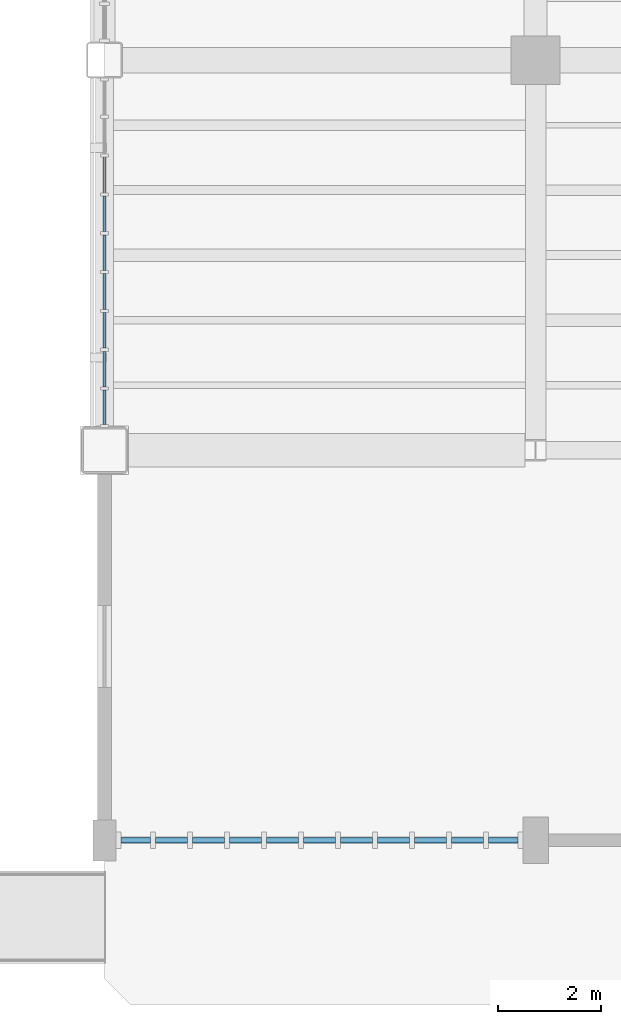
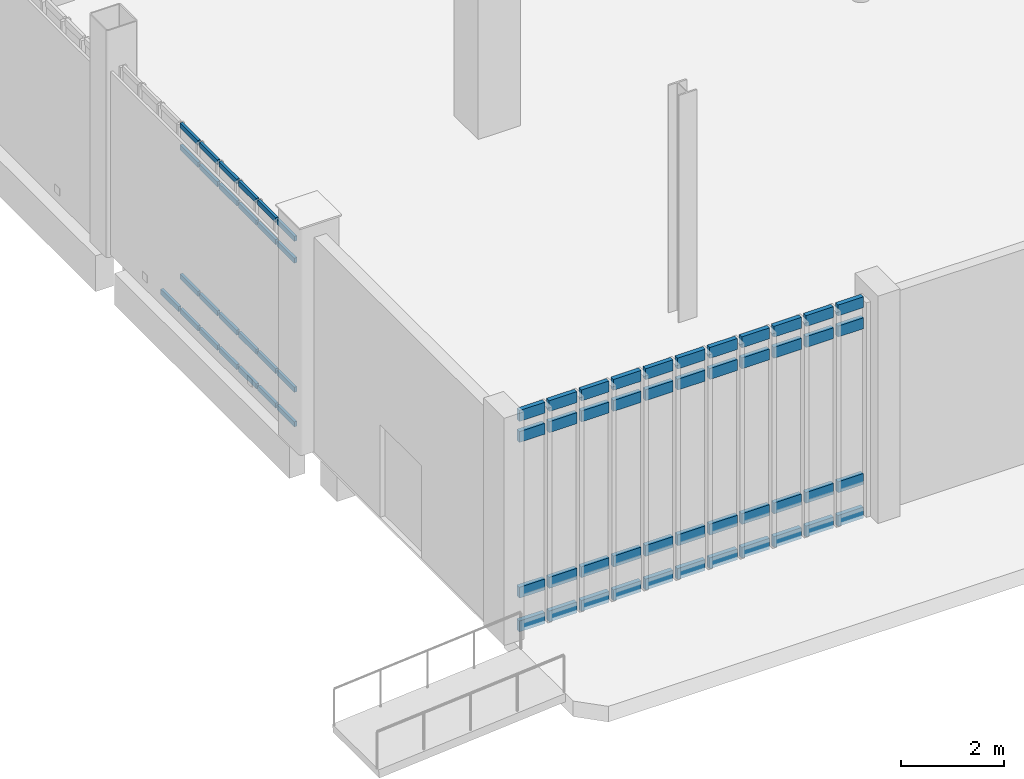
# One storey, part 35 of 111: 69 members, 2 elements without a shape of their own.
"""IFC4 building model written with IfcOpenShell, lengths in metres."""

from ifc_helpers import new_model, si_unit, direction, frame, origin, origin_2d, place, context, subcontext, project, spatial, rectangle, extrude, material, material_profile, profile_set, type_object, element, aggregate, save


model = new_model("IFC4")

# Units and contexts
model_context = context("Model", 3, precision=1e-05, world=origin(), true_north=direction((0.0, 1.0)))
body_context = subcontext(model_context, "Body", "Model", "MODEL_VIEW")
ifc_project = project(units=[si_unit("LENGTHUNIT", "METRE"), si_unit("AREAUNIT", "SQUARE_METRE"), si_unit("VOLUMEUNIT", "CUBIC_METRE"), si_unit("PLANEANGLEUNIT", "RADIAN"), si_unit("MASSUNIT", "GRAM", prefix="KILO")], contexts=[model_context])

# Site, building, storey
site_placement = place(None, origin())
site = spatial("IfcSite", under=ifc_project, at=site_placement, CompositionType="ELEMENT")
building_placement = place(site_placement, origin())
building = spatial("IfcBuilding", under=site, at=building_placement, Name="Larkvane Passage Sports Hall", CompositionType="ELEMENT")
storey_placement = place(building_placement, origin())
storey = spatial("IfcBuildingStorey", under=building, at=storey_placement, Name="L00", CompositionType="ELEMENT", Elevation=0.0)

# Curtain wall, members
ifc_material_1 = material(Name="Thermally broken aluminium and low-E glazing", Category="aluminium")
curtain_wall_type_1 = type_object("IfcCurtainWallType", Name="CW-CLINIC", PredefinedType="USERDEFINED", material=ifc_material_1)
curtain_wall_1_placement = place(storey_placement, origin())
curtain_wall_1 = element("IfcCurtainWall", 1, at=curtain_wall_1_placement, inside=storey, type_object=curtain_wall_type_1, Name="Curtain wall CW5-L00-003", ObjectType="UNITISED CURTAIN WALL", PredefinedType="USERDEFINED")
ifc_material_2 = material(Name="Anodised aluminium 6063-T6", Category="aluminium")
ifc_material_profile_1 = material_profile(ifc_material_2, rectangle(XDim=0.10009765625, YDim=0.260009765625, at=origin_2d()), Name="ALU-TRN-100x260")
ifc_profile_set_1 = profile_set([ifc_material_profile_1], Name="Anodised aluminium 6063-T6")
member_type_1 = type_object("IfcMemberType", Name="CW-TRN-100x260", PredefinedType="USERDEFINED", material=ifc_profile_set_1)
member_1_placement = place(storey_placement, frame((42.85400390625, 0.0, 0.050048828125), z_axis=(-1.0, 0.0, 0.0), x_axis=(0.0, -1.0, 0.0)))
member_1 = element("IfcMember", 2, at=member_1_placement, type_object=member_type_1, Name="CW-05 transom 1.1", ObjectType="TRANSOM", PredefinedType="USERDEFINED", context=body_context, shape_type="SweptSolid", body=[
    extrude(rectangle(XDim=0.10009765625, YDim=0.260009765625, at=origin_2d()), origin(), (0.0, 0.0, 1.0), 0.5712890625),
])
member_2_placement = place(storey_placement, frame((42.85400390625, 0.0, 0.85009765625), z_axis=(-1.0, 0.0, 0.0), x_axis=(0.0, -1.0, 0.0)))
member_2 = element("IfcMember", 3, at=member_2_placement, type_object=member_type_1, Name="CW-05 transom 1.2", ObjectType="TRANSOM", PredefinedType="USERDEFINED", context=body_context, shape_type="SweptSolid", body=[
    extrude(rectangle(XDim=0.10009765625, YDim=0.260009765625, at=origin_2d()), origin(), (0.0, 0.0, 1.0), 0.5712890625),
])
member_3_placement = place(storey_placement, frame((42.85400390625, 0.0, 4.550048828125), z_axis=(-1.0, 0.0, 0.0), x_axis=(0.0, -1.0, 0.0)))
member_3 = element("IfcMember", 4, at=member_3_placement, type_object=member_type_1, Name="CW-05 transom 1.3", ObjectType="TRANSOM", PredefinedType="USERDEFINED", context=body_context, shape_type="SweptSolid", body=[
    extrude(rectangle(XDim=0.10009765625, YDim=0.260009765625, at=origin_2d()), origin(), (0.0, 0.0, 1.0), 0.5712890625),
])
member_4_placement = place(storey_placement, frame((42.85400390625, 0.0, 5.050048828125), z_axis=(-1.0, 0.0, 0.0), x_axis=(0.0, -1.0, 0.0)))
member_4 = element("IfcMember", 5, at=member_4_placement, type_object=member_type_1, Name="CW-05 transom 1.4", ObjectType="TRANSOM", PredefinedType="USERDEFINED", context=body_context, shape_type="SweptSolid", body=[
    extrude(rectangle(XDim=0.10009765625, YDim=0.260009765625, at=origin_2d()), origin(), (0.0, 0.0, 1.0), 0.5712890625),
])
member_5_placement = place(storey_placement, frame((42.182861328125, 0.0, 0.050048828125), z_axis=(-1.0, 0.0, 0.0), x_axis=(0.0, -1.0, 0.0)))
member_5 = element("IfcMember", 6, at=member_5_placement, type_object=member_type_1, Name="CW-05 transom 2.1", ObjectType="TRANSOM", PredefinedType="USERDEFINED", context=body_context, shape_type="SweptSolid", body=[
    extrude(rectangle(XDim=0.10009765625, YDim=0.260009765625, at=origin_2d()), origin(), (0.0, 0.0, 1.0), 0.621337890625),
])
member_6_placement = place(storey_placement, frame((42.182861328125, 0.0, 0.85009765625), z_axis=(-1.0, 0.0, 0.0), x_axis=(0.0, -1.0, 0.0)))
member_6 = element("IfcMember", 7, at=member_6_placement, type_object=member_type_1, Name="CW-05 transom 2.2", ObjectType="TRANSOM", PredefinedType="USERDEFINED", context=body_context, shape_type="SweptSolid", body=[
    extrude(rectangle(XDim=0.10009765625, YDim=0.260009765625, at=origin_2d()), origin(), (0.0, 0.0, 1.0), 0.621337890625),
])
member_7_placement = place(storey_placement, frame((42.182861328125, 0.0, 4.550048828125), z_axis=(-1.0, 0.0, 0.0), x_axis=(0.0, -1.0, 0.0)))
member_7 = element("IfcMember", 8, at=member_7_placement, type_object=member_type_1, Name="CW-05 transom 2.3", ObjectType="TRANSOM", PredefinedType="USERDEFINED", context=body_context, shape_type="SweptSolid", body=[
    extrude(rectangle(XDim=0.10009765625, YDim=0.260009765625, at=origin_2d()), origin(), (0.0, 0.0, 1.0), 0.621337890625),
])
member_8_placement = place(storey_placement, frame((42.182861328125, 0.0, 5.050048828125), z_axis=(-1.0, 0.0, 0.0), x_axis=(0.0, -1.0, 0.0)))
member_8 = element("IfcMember", 9, at=member_8_placement, type_object=member_type_1, Name="CW-05 transom 2.4", ObjectType="TRANSOM", PredefinedType="USERDEFINED", context=body_context, shape_type="SweptSolid", body=[
    extrude(rectangle(XDim=0.10009765625, YDim=0.260009765625, at=origin_2d()), origin(), (0.0, 0.0, 1.0), 0.621337890625),
])
member_9_placement = place(storey_placement, frame((41.461669921875, 0.0, 0.050048828125), z_axis=(-1.0, 0.0, 0.0), x_axis=(0.0, -1.0, 0.0)))
member_9 = element("IfcMember", 10, at=member_9_placement, type_object=member_type_1, Name="CW-05 transom 3.1", ObjectType="TRANSOM", PredefinedType="USERDEFINED", context=body_context, shape_type="SweptSolid", body=[
    extrude(rectangle(XDim=0.10009765625, YDim=0.260009765625, at=origin_2d()), origin(), (0.0, 0.0, 1.0), 0.62109375),
])
member_10_placement = place(storey_placement, frame((41.461669921875, 0.0, 0.85009765625), z_axis=(-1.0, 0.0, 0.0), x_axis=(0.0, -1.0, 0.0)))
member_10 = element("IfcMember", 11, at=member_10_placement, type_object=member_type_1, Name="CW-05 transom 3.2", ObjectType="TRANSOM", PredefinedType="USERDEFINED", context=body_context, shape_type="SweptSolid", body=[
    extrude(rectangle(XDim=0.10009765625, YDim=0.260009765625, at=origin_2d()), origin(), (0.0, 0.0, 1.0), 0.62109375),
])
member_11_placement = place(storey_placement, frame((41.461669921875, 0.0, 4.550048828125), z_axis=(-1.0, 0.0, 0.0), x_axis=(0.0, -1.0, 0.0)))
member_11 = element("IfcMember", 12, at=member_11_placement, type_object=member_type_1, Name="CW-05 transom 3.3", ObjectType="TRANSOM", PredefinedType="USERDEFINED", context=body_context, shape_type="SweptSolid", body=[
    extrude(rectangle(XDim=0.10009765625, YDim=0.260009765625, at=origin_2d()), origin(), (0.0, 0.0, 1.0), 0.62109375),
])
member_12_placement = place(storey_placement, frame((41.461669921875, 0.0, 5.050048828125), z_axis=(-1.0, 0.0, 0.0), x_axis=(0.0, -1.0, 0.0)))
member_12 = element("IfcMember", 13, at=member_12_placement, type_object=member_type_1, Name="CW-05 transom 3.4", ObjectType="TRANSOM", PredefinedType="USERDEFINED", context=body_context, shape_type="SweptSolid", body=[
    extrude(rectangle(XDim=0.10009765625, YDim=0.260009765625, at=origin_2d()), origin(), (0.0, 0.0, 1.0), 0.62109375),
])
member_13_placement = place(storey_placement, frame((40.740478515625, 0.0, 0.050048828125), z_axis=(-1.0, 0.0, 0.0), x_axis=(0.0, -1.0, 0.0)))
member_13 = element("IfcMember", 14, at=member_13_placement, type_object=member_type_1, Name="CW-05 transom 4.1", ObjectType="TRANSOM", PredefinedType="USERDEFINED", context=body_context, shape_type="SweptSolid", body=[
    extrude(rectangle(XDim=0.10009765625, YDim=0.260009765625, at=origin_2d()), origin(), (0.0, 0.0, 1.0), 0.62109375),
])
member_14_placement = place(storey_placement, frame((40.740478515625, 0.0, 0.85009765625), z_axis=(-1.0, 0.0, 0.0), x_axis=(0.0, -1.0, 0.0)))
member_14 = element("IfcMember", 15, at=member_14_placement, type_object=member_type_1, Name="CW-05 transom 4.2", ObjectType="TRANSOM", PredefinedType="USERDEFINED", context=body_context, shape_type="SweptSolid", body=[
    extrude(rectangle(XDim=0.10009765625, YDim=0.260009765625, at=origin_2d()), origin(), (0.0, 0.0, 1.0), 0.62109375),
])
member_15_placement = place(storey_placement, frame((40.740478515625, 0.0, 4.550048828125), z_axis=(-1.0, 0.0, 0.0), x_axis=(0.0, -1.0, 0.0)))
member_15 = element("IfcMember", 16, at=member_15_placement, type_object=member_type_1, Name="CW-05 transom 4.3", ObjectType="TRANSOM", PredefinedType="USERDEFINED", context=body_context, shape_type="SweptSolid", body=[
    extrude(rectangle(XDim=0.10009765625, YDim=0.260009765625, at=origin_2d()), origin(), (0.0, 0.0, 1.0), 0.62109375),
])
member_16_placement = place(storey_placement, frame((40.740478515625, 0.0, 5.050048828125), z_axis=(-1.0, 0.0, 0.0), x_axis=(0.0, -1.0, 0.0)))
member_16 = element("IfcMember", 17, at=member_16_placement, type_object=member_type_1, Name="CW-05 transom 4.4", ObjectType="TRANSOM", PredefinedType="USERDEFINED", context=body_context, shape_type="SweptSolid", body=[
    extrude(rectangle(XDim=0.10009765625, YDim=0.260009765625, at=origin_2d()), origin(), (0.0, 0.0, 1.0), 0.62109375),
])
member_17_placement = place(storey_placement, frame((40.019287109375, 0.0, 0.050048828125), z_axis=(-1.0, 0.0, 0.0), x_axis=(0.0, -1.0, 0.0)))
member_17 = element("IfcMember", 18, at=member_17_placement, type_object=member_type_1, Name="CW-05 transom 5.1", ObjectType="TRANSOM", PredefinedType="USERDEFINED", context=body_context, shape_type="SweptSolid", body=[
    extrude(rectangle(XDim=0.10009765625, YDim=0.260009765625, at=origin_2d()), origin(), (0.0, 0.0, 1.0), 0.62109375),
])
member_18_placement = place(storey_placement, frame((40.019287109375, 0.0, 0.85009765625), z_axis=(-1.0, 0.0, 0.0), x_axis=(0.0, -1.0, 0.0)))
member_18 = element("IfcMember", 19, at=member_18_placement, type_object=member_type_1, Name="CW-05 transom 5.2", ObjectType="TRANSOM", PredefinedType="USERDEFINED", context=body_context, shape_type="SweptSolid", body=[
    extrude(rectangle(XDim=0.10009765625, YDim=0.260009765625, at=origin_2d()), origin(), (0.0, 0.0, 1.0), 0.62109375),
])
member_19_placement = place(storey_placement, frame((40.019287109375, 0.0, 4.550048828125), z_axis=(-1.0, 0.0, 0.0), x_axis=(0.0, -1.0, 0.0)))
member_19 = element("IfcMember", 20, at=member_19_placement, type_object=member_type_1, Name="CW-05 transom 5.3", ObjectType="TRANSOM", PredefinedType="USERDEFINED", context=body_context, shape_type="SweptSolid", body=[
    extrude(rectangle(XDim=0.10009765625, YDim=0.260009765625, at=origin_2d()), origin(), (0.0, 0.0, 1.0), 0.62109375),
])
member_20_placement = place(storey_placement, frame((40.019287109375, 0.0, 5.050048828125), z_axis=(-1.0, 0.0, 0.0), x_axis=(0.0, -1.0, 0.0)))
member_20 = element("IfcMember", 21, at=member_20_placement, type_object=member_type_1, Name="CW-05 transom 5.4", ObjectType="TRANSOM", PredefinedType="USERDEFINED", context=body_context, shape_type="SweptSolid", body=[
    extrude(rectangle(XDim=0.10009765625, YDim=0.260009765625, at=origin_2d()), origin(), (0.0, 0.0, 1.0), 0.62109375),
])
member_21_placement = place(storey_placement, frame((39.298095703125, 0.0, 0.050048828125), z_axis=(-1.0, 0.0, 0.0), x_axis=(0.0, -1.0, 0.0)))
member_21 = element("IfcMember", 22, at=member_21_placement, type_object=member_type_1, Name="CW-05 transom 6.1", ObjectType="TRANSOM", PredefinedType="USERDEFINED", context=body_context, shape_type="SweptSolid", body=[
    extrude(rectangle(XDim=0.10009765625, YDim=0.260009765625, at=origin_2d()), origin(), (0.0, 0.0, 1.0), 0.62109375),
])
member_22_placement = place(storey_placement, frame((39.298095703125, 0.0, 0.85009765625), z_axis=(-1.0, 0.0, 0.0), x_axis=(0.0, -1.0, 0.0)))
member_22 = element("IfcMember", 23, at=member_22_placement, type_object=member_type_1, Name="CW-05 transom 6.2", ObjectType="TRANSOM", PredefinedType="USERDEFINED", context=body_context, shape_type="SweptSolid", body=[
    extrude(rectangle(XDim=0.10009765625, YDim=0.260009765625, at=origin_2d()), origin(), (0.0, 0.0, 1.0), 0.62109375),
])
member_23_placement = place(storey_placement, frame((39.298095703125, 0.0, 4.550048828125), z_axis=(-1.0, 0.0, 0.0), x_axis=(0.0, -1.0, 0.0)))
member_23 = element("IfcMember", 24, at=member_23_placement, type_object=member_type_1, Name="CW-05 transom 6.3", ObjectType="TRANSOM", PredefinedType="USERDEFINED", context=body_context, shape_type="SweptSolid", body=[
    extrude(rectangle(XDim=0.10009765625, YDim=0.260009765625, at=origin_2d()), origin(), (0.0, 0.0, 1.0), 0.62109375),
])
member_24_placement = place(storey_placement, frame((39.298095703125, 0.0, 5.050048828125), z_axis=(-1.0, 0.0, 0.0), x_axis=(0.0, -1.0, 0.0)))
member_24 = element("IfcMember", 25, at=member_24_placement, type_object=member_type_1, Name="CW-05 transom 6.4", ObjectType="TRANSOM", PredefinedType="USERDEFINED", context=body_context, shape_type="SweptSolid", body=[
    extrude(rectangle(XDim=0.10009765625, YDim=0.260009765625, at=origin_2d()), origin(), (0.0, 0.0, 1.0), 0.62109375),
])
member_25_placement = place(storey_placement, frame((38.576904296875, 0.0, 0.050048828125), z_axis=(-1.0, 0.0, 0.0), x_axis=(0.0, -1.0, 0.0)))
member_25 = element("IfcMember", 26, at=member_25_placement, type_object=member_type_1, Name="CW-05 transom 7.1", ObjectType="TRANSOM", PredefinedType="USERDEFINED", context=body_context, shape_type="SweptSolid", body=[
    extrude(rectangle(XDim=0.10009765625, YDim=0.260009765625, at=origin_2d()), origin(), (0.0, 0.0, 1.0), 0.62109375),
])
member_26_placement = place(storey_placement, frame((38.576904296875, 0.0, 0.85009765625), z_axis=(-1.0, 0.0, 0.0), x_axis=(0.0, -1.0, 0.0)))
member_26 = element("IfcMember", 27, at=member_26_placement, type_object=member_type_1, Name="CW-05 transom 7.2", ObjectType="TRANSOM", PredefinedType="USERDEFINED", context=body_context, shape_type="SweptSolid", body=[
    extrude(rectangle(XDim=0.10009765625, YDim=0.260009765625, at=origin_2d()), origin(), (0.0, 0.0, 1.0), 0.62109375),
])
member_27_placement = place(storey_placement, frame((38.576904296875, 0.0, 4.550048828125), z_axis=(-1.0, 0.0, 0.0), x_axis=(0.0, -1.0, 0.0)))
member_27 = element("IfcMember", 28, at=member_27_placement, type_object=member_type_1, Name="CW-05 transom 7.3", ObjectType="TRANSOM", PredefinedType="USERDEFINED", context=body_context, shape_type="SweptSolid", body=[
    extrude(rectangle(XDim=0.10009765625, YDim=0.260009765625, at=origin_2d()), origin(), (0.0, 0.0, 1.0), 0.62109375),
])
member_28_placement = place(storey_placement, frame((38.576904296875, 0.0, 5.050048828125), z_axis=(-1.0, 0.0, 0.0), x_axis=(0.0, -1.0, 0.0)))
member_28 = element("IfcMember", 29, at=member_28_placement, type_object=member_type_1, Name="CW-05 transom 7.4", ObjectType="TRANSOM", PredefinedType="USERDEFINED", context=body_context, shape_type="SweptSolid", body=[
    extrude(rectangle(XDim=0.10009765625, YDim=0.260009765625, at=origin_2d()), origin(), (0.0, 0.0, 1.0), 0.62109375),
])
member_29_placement = place(storey_placement, frame((37.855712890625, 0.0, 0.050048828125), z_axis=(-1.0, 0.0, 0.0), x_axis=(0.0, -1.0, 0.0)))
member_29 = element("IfcMember", 30, at=member_29_placement, type_object=member_type_1, Name="CW-05 transom 8.1", ObjectType="TRANSOM", PredefinedType="USERDEFINED", context=body_context, shape_type="SweptSolid", body=[
    extrude(rectangle(XDim=0.10009765625, YDim=0.260009765625, at=origin_2d()), origin(), (0.0, 0.0, 1.0), 0.62109375),
])
member_30_placement = place(storey_placement, frame((37.855712890625, 0.0, 0.85009765625), z_axis=(-1.0, 0.0, 0.0), x_axis=(0.0, -1.0, 0.0)))
member_30 = element("IfcMember", 31, at=member_30_placement, type_object=member_type_1, Name="CW-05 transom 8.2", ObjectType="TRANSOM", PredefinedType="USERDEFINED", context=body_context, shape_type="SweptSolid", body=[
    extrude(rectangle(XDim=0.10009765625, YDim=0.260009765625, at=origin_2d()), origin(), (0.0, 0.0, 1.0), 0.62109375),
])
member_31_placement = place(storey_placement, frame((37.855712890625, 0.0, 4.550048828125), z_axis=(-1.0, 0.0, 0.0), x_axis=(0.0, -1.0, 0.0)))
member_31 = element("IfcMember", 32, at=member_31_placement, type_object=member_type_1, Name="CW-05 transom 8.3", ObjectType="TRANSOM", PredefinedType="USERDEFINED", context=body_context, shape_type="SweptSolid", body=[
    extrude(rectangle(XDim=0.10009765625, YDim=0.260009765625, at=origin_2d()), origin(), (0.0, 0.0, 1.0), 0.62109375),
])
member_32_placement = place(storey_placement, frame((37.855712890625, 0.0, 5.050048828125), z_axis=(-1.0, 0.0, 0.0), x_axis=(0.0, -1.0, 0.0)))
member_32 = element("IfcMember", 33, at=member_32_placement, type_object=member_type_1, Name="CW-05 transom 8.4", ObjectType="TRANSOM", PredefinedType="USERDEFINED", context=body_context, shape_type="SweptSolid", body=[
    extrude(rectangle(XDim=0.10009765625, YDim=0.260009765625, at=origin_2d()), origin(), (0.0, 0.0, 1.0), 0.62109375),
])
member_33_placement = place(storey_placement, frame((37.134521484375, 0.0, 0.050048828125), z_axis=(-1.0, 0.0, 0.0), x_axis=(0.0, -1.0, 0.0)))
member_33 = element("IfcMember", 34, at=member_33_placement, type_object=member_type_1, Name="CW-05 transom 9.1", ObjectType="TRANSOM", PredefinedType="USERDEFINED", context=body_context, shape_type="SweptSolid", body=[
    extrude(rectangle(XDim=0.10009765625, YDim=0.260009765625, at=origin_2d()), origin(), (0.0, 0.0, 1.0), 0.62109375),
])
member_34_placement = place(storey_placement, frame((37.134521484375, 0.0, 0.85009765625), z_axis=(-1.0, 0.0, 0.0), x_axis=(0.0, -1.0, 0.0)))
member_34 = element("IfcMember", 35, at=member_34_placement, type_object=member_type_1, Name="CW-05 transom 9.2", ObjectType="TRANSOM", PredefinedType="USERDEFINED", context=body_context, shape_type="SweptSolid", body=[
    extrude(rectangle(XDim=0.10009765625, YDim=0.260009765625, at=origin_2d()), origin(), (0.0, 0.0, 1.0), 0.62109375),
])
member_35_placement = place(storey_placement, frame((37.134521484375, 0.0, 4.550048828125), z_axis=(-1.0, 0.0, 0.0), x_axis=(0.0, -1.0, 0.0)))
member_35 = element("IfcMember", 36, at=member_35_placement, type_object=member_type_1, Name="CW-05 transom 9.3", ObjectType="TRANSOM", PredefinedType="USERDEFINED", context=body_context, shape_type="SweptSolid", body=[
    extrude(rectangle(XDim=0.10009765625, YDim=0.260009765625, at=origin_2d()), origin(), (0.0, 0.0, 1.0), 0.62109375),
])
member_36_placement = place(storey_placement, frame((37.134521484375, 0.0, 5.050048828125), z_axis=(-1.0, 0.0, 0.0), x_axis=(0.0, -1.0, 0.0)))
member_36 = element("IfcMember", 37, at=member_36_placement, type_object=member_type_1, Name="CW-05 transom 9.4", ObjectType="TRANSOM", PredefinedType="USERDEFINED", context=body_context, shape_type="SweptSolid", body=[
    extrude(rectangle(XDim=0.10009765625, YDim=0.260009765625, at=origin_2d()), origin(), (0.0, 0.0, 1.0), 0.62109375),
])
member_37_placement = place(storey_placement, frame((36.413330078125, 0.0, 0.050048828125), z_axis=(-1.0, 0.0, 0.0), x_axis=(0.0, -1.0, 0.0)))
member_37 = element("IfcMember", 38, at=member_37_placement, type_object=member_type_1, Name="CW-05 transom 10.1", ObjectType="TRANSOM", PredefinedType="USERDEFINED", context=body_context, shape_type="SweptSolid", body=[
    extrude(rectangle(XDim=0.10009765625, YDim=0.260009765625, at=origin_2d()), origin(), (0.0, 0.0, 1.0), 0.62109375),
])
member_38_placement = place(storey_placement, frame((36.413330078125, 0.0, 0.85009765625), z_axis=(-1.0, 0.0, 0.0), x_axis=(0.0, -1.0, 0.0)))
member_38 = element("IfcMember", 39, at=member_38_placement, type_object=member_type_1, Name="CW-05 transom 10.2", ObjectType="TRANSOM", PredefinedType="USERDEFINED", context=body_context, shape_type="SweptSolid", body=[
    extrude(rectangle(XDim=0.10009765625, YDim=0.260009765625, at=origin_2d()), origin(), (0.0, 0.0, 1.0), 0.62109375),
])
member_39_placement = place(storey_placement, frame((36.413330078125, 0.0, 4.550048828125), z_axis=(-1.0, 0.0, 0.0), x_axis=(0.0, -1.0, 0.0)))
member_39 = element("IfcMember", 40, at=member_39_placement, type_object=member_type_1, Name="CW-05 transom 10.3", ObjectType="TRANSOM", PredefinedType="USERDEFINED", context=body_context, shape_type="SweptSolid", body=[
    extrude(rectangle(XDim=0.10009765625, YDim=0.260009765625, at=origin_2d()), origin(), (0.0, 0.0, 1.0), 0.62109375),
])
member_40_placement = place(storey_placement, frame((36.413330078125, 0.0, 5.050048828125), z_axis=(-1.0, 0.0, 0.0), x_axis=(0.0, -1.0, 0.0)))
member_40 = element("IfcMember", 41, at=member_40_placement, type_object=member_type_1, Name="CW-05 transom 10.4", ObjectType="TRANSOM", PredefinedType="USERDEFINED", context=body_context, shape_type="SweptSolid", body=[
    extrude(rectangle(XDim=0.10009765625, YDim=0.260009765625, at=origin_2d()), origin(), (0.0, 0.0, 1.0), 0.62109375),
])
member_41_placement = place(storey_placement, frame((35.692138671875, 0.0, 0.050048828125), z_axis=(-1.0, 0.0, 0.0), x_axis=(0.0, -1.0, 0.0)))
member_41 = element("IfcMember", 42, at=member_41_placement, type_object=member_type_1, Name="CW-05 transom 11.1", ObjectType="TRANSOM", PredefinedType="USERDEFINED", context=body_context, shape_type="SweptSolid", body=[
    extrude(rectangle(XDim=0.10009765625, YDim=0.260009765625, at=origin_2d()), origin(), (0.0, 0.0, 1.0), 0.571044921875),
])
member_42_placement = place(storey_placement, frame((35.692138671875, 0.0, 0.85009765625), z_axis=(-1.0, 0.0, 0.0), x_axis=(0.0, -1.0, 0.0)))
member_42 = element("IfcMember", 43, at=member_42_placement, type_object=member_type_1, Name="CW-05 transom 11.2", ObjectType="TRANSOM", PredefinedType="USERDEFINED", context=body_context, shape_type="SweptSolid", body=[
    extrude(rectangle(XDim=0.10009765625, YDim=0.260009765625, at=origin_2d()), origin(), (0.0, 0.0, 1.0), 0.571044921875),
])
member_43_placement = place(storey_placement, frame((35.692138671875, 0.0, 4.550048828125), z_axis=(-1.0, 0.0, 0.0), x_axis=(0.0, -1.0, 0.0)))
member_43 = element("IfcMember", 44, at=member_43_placement, type_object=member_type_1, Name="CW-05 transom 11.3", ObjectType="TRANSOM", PredefinedType="USERDEFINED", context=body_context, shape_type="SweptSolid", body=[
    extrude(rectangle(XDim=0.10009765625, YDim=0.260009765625, at=origin_2d()), origin(), (0.0, 0.0, 1.0), 0.571044921875),
])
member_44_placement = place(storey_placement, frame((35.692138671875, 0.0, 5.050048828125), z_axis=(-1.0, 0.0, 0.0), x_axis=(0.0, -1.0, 0.0)))
member_44 = element("IfcMember", 45, at=member_44_placement, type_object=member_type_1, Name="CW-05 transom 11.4", ObjectType="TRANSOM", PredefinedType="USERDEFINED", context=body_context, shape_type="SweptSolid", body=[
    extrude(rectangle(XDim=0.10009765625, YDim=0.260009765625, at=origin_2d()), origin(), (0.0, 0.0, 1.0), 0.571044921875),
])
aggregate(curtain_wall_1, [member_1, member_2, member_3, member_4, member_5, member_6, member_7, member_8, member_9, member_10, member_11, member_12, member_13, member_14, member_15, member_16, member_17, member_18, member_19, member_20, member_21, member_22, member_23, member_24, member_25, member_26, member_27, member_28, member_29, member_30, member_31, member_32, member_33, member_34, member_35, member_36, member_37, member_38, member_39, member_40, member_41, member_42, member_43, member_44])

curtain_wall_type_2 = type_object("IfcCurtainWallType", Name="CW-UNIT-COURT", PredefinedType="USERDEFINED", material=ifc_material_1)
curtain_wall_2_placement = place(storey_placement, origin())
curtain_wall_2 = element("IfcCurtainWall", 46, at=curtain_wall_2_placement, inside=storey, type_object=curtain_wall_type_2, Name="Curtain wall CW5-L00-004", ObjectType="UNITISED CURTAIN WALL", PredefinedType="USERDEFINED")
ifc_material_profile_2 = material_profile(ifc_material_2, rectangle(XDim=0.06005859375, YDim=0.1201171875, at=origin_2d()), Name="ALU-TRN-60x120")
ifc_profile_set_2 = profile_set([ifc_material_profile_2], Name="Anodised aluminium 6063-T6")
member_type_2 = type_object("IfcMemberType", Name="CW-TRN-60x120", PredefinedType="USERDEFINED", material=ifc_profile_set_2)
member_45_placement = place(storey_placement, frame((34.800048828125, 8.10595703125, 0.030029296875), z_axis=(0.0, 1.0, 0.0), x_axis=(-1.0, 0.0, 0.0)))
member_45 = element("IfcMember", 47, at=member_45_placement, type_object=member_type_2, Name="CW-01 transom 1.1", ObjectType="TRANSOM", PredefinedType="USERDEFINED", context=body_context, shape_type="SweptSolid", body=[
    extrude(rectangle(XDim=0.06005859375, YDim=0.1201171875, at=origin_2d()), origin(), (0.0, 0.0, 1.0), 0.66650390625),
])
member_46_placement = place(storey_placement, frame((34.800048828125, 8.10595703125, 0.85009765625), z_axis=(0.0, 1.0, 0.0), x_axis=(-1.0, 0.0, 0.0)))
member_46 = element("IfcMember", 48, at=member_46_placement, type_object=member_type_2, Name="CW-01 transom 1.2", ObjectType="TRANSOM", PredefinedType="USERDEFINED", context=body_context, shape_type="SweptSolid", body=[
    extrude(rectangle(XDim=0.06005859375, YDim=0.1201171875, at=origin_2d()), origin(), (0.0, 0.0, 1.0), 0.66650390625),
])
member_47_placement = place(storey_placement, frame((34.800048828125, 8.10595703125, 3.91796875), z_axis=(0.0, 1.0, 0.0), x_axis=(-1.0, 0.0, 0.0)))
member_47 = element("IfcMember", 49, at=member_47_placement, type_object=member_type_2, Name="CW-01 transom 1.3", ObjectType="TRANSOM", PredefinedType="USERDEFINED", context=body_context, shape_type="SweptSolid", body=[
    extrude(rectangle(XDim=0.06005859375, YDim=0.1201171875, at=origin_2d()), origin(), (0.0, 0.0, 1.0), 0.66650390625),
])
member_48_placement = place(storey_placement, frame((34.800048828125, 8.10595703125, 4.43798828125), z_axis=(0.0, 1.0, 0.0), x_axis=(-1.0, 0.0, 0.0)))
member_48 = element("IfcMember", 50, at=member_48_placement, type_object=member_type_2, Name="CW-01 transom 1.4", ObjectType="TRANSOM", PredefinedType="USERDEFINED", context=body_context, shape_type="SweptSolid", body=[
    extrude(rectangle(XDim=0.06005859375, YDim=0.1201171875, at=origin_2d()), origin(), (0.0, 0.0, 1.0), 0.66650390625),
])
member_49_placement = place(storey_placement, frame((34.800048828125, 8.83251953125, 0.030029296875), z_axis=(0.0, 1.0, 0.0), x_axis=(-1.0, 0.0, 0.0)))
member_49 = element("IfcMember", 51, at=member_49_placement, type_object=member_type_2, Name="CW-01 transom 2.1", ObjectType="TRANSOM", PredefinedType="USERDEFINED", context=body_context, shape_type="SweptSolid", body=[
    extrude(rectangle(XDim=0.06005859375, YDim=0.1201171875, at=origin_2d()), origin(), (0.0, 0.0, 1.0), 0.6962890625),
])
member_50_placement = place(storey_placement, frame((34.800048828125, 8.83251953125, 0.85009765625), z_axis=(0.0, 1.0, 0.0), x_axis=(-1.0, 0.0, 0.0)))
member_50 = element("IfcMember", 52, at=member_50_placement, type_object=member_type_2, Name="CW-01 transom 2.2", ObjectType="TRANSOM", PredefinedType="USERDEFINED", context=body_context, shape_type="SweptSolid", body=[
    extrude(rectangle(XDim=0.06005859375, YDim=0.1201171875, at=origin_2d()), origin(), (0.0, 0.0, 1.0), 0.6962890625),
])
member_51_placement = place(storey_placement, frame((34.800048828125, 8.83251953125, 3.91796875), z_axis=(0.0, 1.0, 0.0), x_axis=(-1.0, 0.0, 0.0)))
member_51 = element("IfcMember", 53, at=member_51_placement, type_object=member_type_2, Name="CW-01 transom 2.3", ObjectType="TRANSOM", PredefinedType="USERDEFINED", context=body_context, shape_type="SweptSolid", body=[
    extrude(rectangle(XDim=0.06005859375, YDim=0.1201171875, at=origin_2d()), origin(), (0.0, 0.0, 1.0), 0.6962890625),
])
member_52_placement = place(storey_placement, frame((34.800048828125, 8.83251953125, 4.43798828125), z_axis=(0.0, 1.0, 0.0), x_axis=(-1.0, 0.0, 0.0)))
member_52 = element("IfcMember", 54, at=member_52_placement, type_object=member_type_2, Name="CW-01 transom 2.4", ObjectType="TRANSOM", PredefinedType="USERDEFINED", context=body_context, shape_type="SweptSolid", body=[
    extrude(rectangle(XDim=0.06005859375, YDim=0.1201171875, at=origin_2d()), origin(), (0.0, 0.0, 1.0), 0.6962890625),
])
member_53_placement = place(storey_placement, frame((34.800048828125, 9.5888671875, 0.030029296875), z_axis=(0.0, 1.0, 0.0), x_axis=(-1.0, 0.0, 0.0)))
member_53 = element("IfcMember", 55, at=member_53_placement, type_object=member_type_2, Name="CW-01 transom 3.1", ObjectType="TRANSOM", PredefinedType="USERDEFINED", context=body_context, shape_type="SweptSolid", body=[
    extrude(rectangle(XDim=0.06005859375, YDim=0.1201171875, at=origin_2d()), origin(), (0.0, 0.0, 1.0), 0.696533203125),
])
member_54_placement = place(storey_placement, frame((34.800048828125, 9.5888671875, 0.85009765625), z_axis=(0.0, 1.0, 0.0), x_axis=(-1.0, 0.0, 0.0)))
member_54 = element("IfcMember", 56, at=member_54_placement, type_object=member_type_2, Name="CW-01 transom 3.2", ObjectType="TRANSOM", PredefinedType="USERDEFINED", context=body_context, shape_type="SweptSolid", body=[
    extrude(rectangle(XDim=0.06005859375, YDim=0.1201171875, at=origin_2d()), origin(), (0.0, 0.0, 1.0), 0.696533203125),
])
member_55_placement = place(storey_placement, frame((34.800048828125, 9.5888671875, 3.91796875), z_axis=(0.0, 1.0, 0.0), x_axis=(-1.0, 0.0, 0.0)))
member_55 = element("IfcMember", 57, at=member_55_placement, type_object=member_type_2, Name="CW-01 transom 3.3", ObjectType="TRANSOM", PredefinedType="USERDEFINED", context=body_context, shape_type="SweptSolid", body=[
    extrude(rectangle(XDim=0.06005859375, YDim=0.1201171875, at=origin_2d()), origin(), (0.0, 0.0, 1.0), 0.696533203125),
])
member_56_placement = place(storey_placement, frame((34.800048828125, 9.5888671875, 4.43798828125), z_axis=(0.0, 1.0, 0.0), x_axis=(-1.0, 0.0, 0.0)))
member_56 = element("IfcMember", 58, at=member_56_placement, type_object=member_type_2, Name="CW-01 transom 3.4", ObjectType="TRANSOM", PredefinedType="USERDEFINED", context=body_context, shape_type="SweptSolid", body=[
    extrude(rectangle(XDim=0.06005859375, YDim=0.1201171875, at=origin_2d()), origin(), (0.0, 0.0, 1.0), 0.696533203125),
])
member_57_placement = place(storey_placement, frame((34.800048828125, 10.34521484375, 0.030029296875), z_axis=(0.0, 1.0, 0.0), x_axis=(-1.0, 0.0, 0.0)))
member_57 = element("IfcMember", 59, at=member_57_placement, type_object=member_type_2, Name="CW-01 transom 4.1", ObjectType="TRANSOM", PredefinedType="USERDEFINED", context=body_context, shape_type="SweptSolid", body=[
    extrude(rectangle(XDim=0.06005859375, YDim=0.1201171875, at=origin_2d()), origin(), (0.0, 0.0, 1.0), 0.696533203125),
])
member_58_placement = place(storey_placement, frame((34.800048828125, 10.34521484375, 0.85009765625), z_axis=(0.0, 1.0, 0.0), x_axis=(-1.0, 0.0, 0.0)))
member_58 = element("IfcMember", 60, at=member_58_placement, type_object=member_type_2, Name="CW-01 transom 4.2", ObjectType="TRANSOM", PredefinedType="USERDEFINED", context=body_context, shape_type="SweptSolid", body=[
    extrude(rectangle(XDim=0.06005859375, YDim=0.1201171875, at=origin_2d()), origin(), (0.0, 0.0, 1.0), 0.696533203125),
])
member_59_placement = place(storey_placement, frame((34.800048828125, 10.34521484375, 3.91796875), z_axis=(0.0, 1.0, 0.0), x_axis=(-1.0, 0.0, 0.0)))
member_59 = element("IfcMember", 61, at=member_59_placement, type_object=member_type_2, Name="CW-01 transom 4.3", ObjectType="TRANSOM", PredefinedType="USERDEFINED", context=body_context, shape_type="SweptSolid", body=[
    extrude(rectangle(XDim=0.06005859375, YDim=0.1201171875, at=origin_2d()), origin(), (0.0, 0.0, 1.0), 0.696533203125),
])
member_60_placement = place(storey_placement, frame((34.800048828125, 10.34521484375, 4.43798828125), z_axis=(0.0, 1.0, 0.0), x_axis=(-1.0, 0.0, 0.0)))
member_60 = element("IfcMember", 62, at=member_60_placement, type_object=member_type_2, Name="CW-01 transom 4.4", ObjectType="TRANSOM", PredefinedType="USERDEFINED", context=body_context, shape_type="SweptSolid", body=[
    extrude(rectangle(XDim=0.06005859375, YDim=0.1201171875, at=origin_2d()), origin(), (0.0, 0.0, 1.0), 0.696533203125),
])
member_61_placement = place(storey_placement, frame((34.800048828125, 11.101806640625, 0.030029296875), z_axis=(0.0, 1.0, 0.0), x_axis=(-1.0, 0.0, 0.0)))
member_61 = element("IfcMember", 63, at=member_61_placement, type_object=member_type_2, Name="CW-01 transom 5.1", ObjectType="TRANSOM", PredefinedType="USERDEFINED", context=body_context, shape_type="SweptSolid", body=[
    extrude(rectangle(XDim=0.06005859375, YDim=0.1201171875, at=origin_2d()), origin(), (0.0, 0.0, 1.0), 0.696533203125),
])
member_62_placement = place(storey_placement, frame((34.800048828125, 11.101806640625, 0.85009765625), z_axis=(0.0, 1.0, 0.0), x_axis=(-1.0, 0.0, 0.0)))
member_62 = element("IfcMember", 64, at=member_62_placement, type_object=member_type_2, Name="CW-01 transom 5.2", ObjectType="TRANSOM", PredefinedType="USERDEFINED", context=body_context, shape_type="SweptSolid", body=[
    extrude(rectangle(XDim=0.06005859375, YDim=0.1201171875, at=origin_2d()), origin(), (0.0, 0.0, 1.0), 0.696533203125),
])
member_63_placement = place(storey_placement, frame((34.800048828125, 11.101806640625, 3.91796875), z_axis=(0.0, 1.0, 0.0), x_axis=(-1.0, 0.0, 0.0)))
member_63 = element("IfcMember", 65, at=member_63_placement, type_object=member_type_2, Name="CW-01 transom 5.3", ObjectType="TRANSOM", PredefinedType="USERDEFINED", context=body_context, shape_type="SweptSolid", body=[
    extrude(rectangle(XDim=0.06005859375, YDim=0.1201171875, at=origin_2d()), origin(), (0.0, 0.0, 1.0), 0.696533203125),
])
member_64_placement = place(storey_placement, frame((34.800048828125, 11.101806640625, 4.43798828125), z_axis=(0.0, 1.0, 0.0), x_axis=(-1.0, 0.0, 0.0)))
member_64 = element("IfcMember", 66, at=member_64_placement, type_object=member_type_2, Name="CW-01 transom 5.4", ObjectType="TRANSOM", PredefinedType="USERDEFINED", context=body_context, shape_type="SweptSolid", body=[
    extrude(rectangle(XDim=0.06005859375, YDim=0.1201171875, at=origin_2d()), origin(), (0.0, 0.0, 1.0), 0.696533203125),
])
member_65_placement = place(storey_placement, frame((34.800048828125, 11.858154296875, 0.030029296875), z_axis=(0.0, 1.0, 0.0), x_axis=(-1.0, 0.0, 0.0)))
member_65 = element("IfcMember", 67, at=member_65_placement, type_object=member_type_2, Name="CW-01 transom 6.1", ObjectType="TRANSOM", PredefinedType="USERDEFINED", context=body_context, shape_type="SweptSolid", body=[
    extrude(rectangle(XDim=0.06005859375, YDim=0.1201171875, at=origin_2d()), origin(), (0.0, 0.0, 1.0), 0.696533203125),
])
member_66_placement = place(storey_placement, frame((34.800048828125, 11.858154296875, 0.85009765625), z_axis=(0.0, 1.0, 0.0), x_axis=(-1.0, 0.0, 0.0)))
member_66 = element("IfcMember", 68, at=member_66_placement, type_object=member_type_2, Name="CW-01 transom 6.2", ObjectType="TRANSOM", PredefinedType="USERDEFINED", context=body_context, shape_type="SweptSolid", body=[
    extrude(rectangle(XDim=0.06005859375, YDim=0.1201171875, at=origin_2d()), origin(), (0.0, 0.0, 1.0), 0.696533203125),
])
member_67_placement = place(storey_placement, frame((34.800048828125, 11.858154296875, 3.91796875), z_axis=(0.0, 1.0, 0.0), x_axis=(-1.0, 0.0, 0.0)))
member_67 = element("IfcMember", 69, at=member_67_placement, type_object=member_type_2, Name="CW-01 transom 6.3", ObjectType="TRANSOM", PredefinedType="USERDEFINED", context=body_context, shape_type="SweptSolid", body=[
    extrude(rectangle(XDim=0.06005859375, YDim=0.1201171875, at=origin_2d()), origin(), (0.0, 0.0, 1.0), 0.696533203125),
])
member_68_placement = place(storey_placement, frame((34.800048828125, 11.858154296875, 4.43798828125), z_axis=(0.0, 1.0, 0.0), x_axis=(-1.0, 0.0, 0.0)))
member_68 = element("IfcMember", 70, at=member_68_placement, type_object=member_type_2, Name="CW-01 transom 6.4", ObjectType="TRANSOM", PredefinedType="USERDEFINED", context=body_context, shape_type="SweptSolid", body=[
    extrude(rectangle(XDim=0.06005859375, YDim=0.1201171875, at=origin_2d()), origin(), (0.0, 0.0, 1.0), 0.696533203125),
])
member_69_placement = place(storey_placement, frame((34.800048828125, 12.61474609375, 0.030029296875), z_axis=(0.0, 1.0, 0.0), x_axis=(-1.0, 0.0, 0.0)))
member_69 = element("IfcMember", 71, at=member_69_placement, type_object=member_type_2, Name="CW-01 transom 7.1", ObjectType="TRANSOM", PredefinedType="USERDEFINED", context=body_context, shape_type="SweptSolid", body=[
    extrude(rectangle(XDim=0.06005859375, YDim=0.1201171875, at=origin_2d()), origin(), (0.0, 0.0, 1.0), 0.6962890625),
])
aggregate(curtain_wall_2, [member_45, member_46, member_47, member_48, member_49, member_50, member_51, member_52, member_53, member_54, member_55, member_56, member_57, member_58, member_59, member_60, member_61, member_62, member_63, member_64, member_65, member_66, member_67, member_68, member_69])

save(model, "model.ifc")
